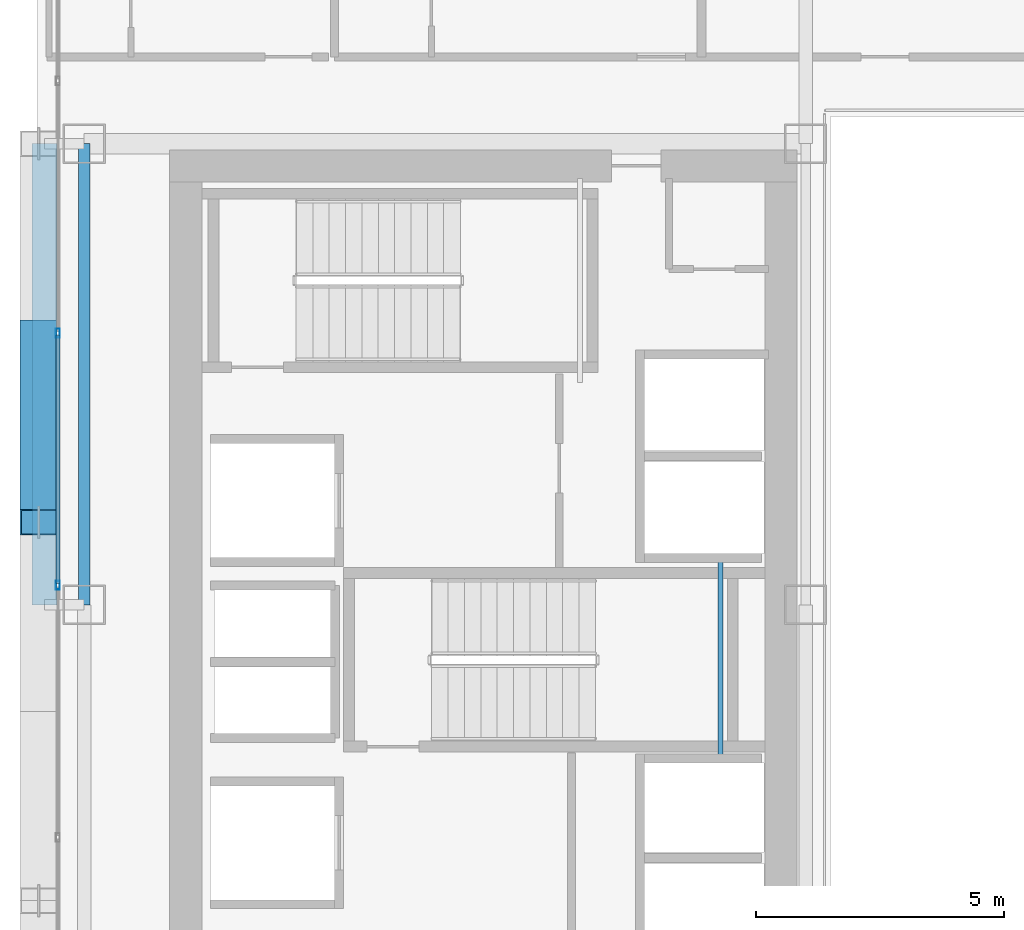
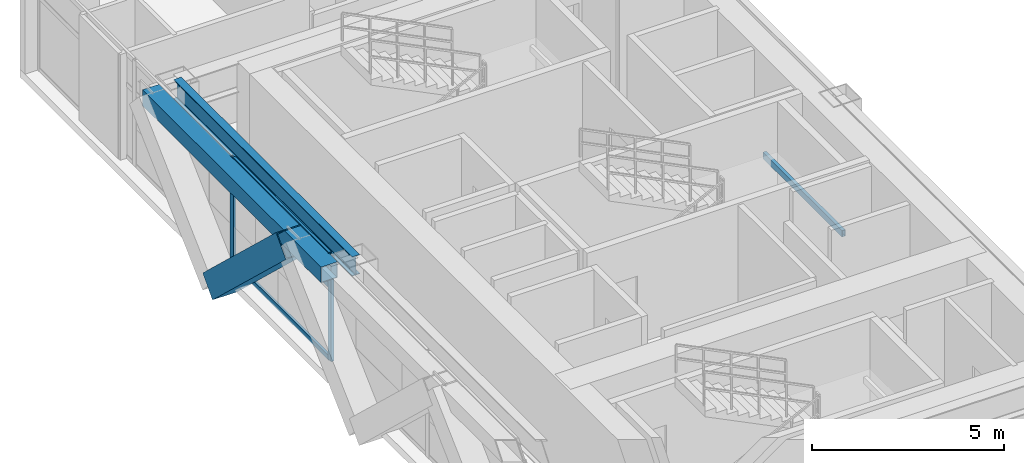
# One storey, part 8 of 35: 6 members, 3 beams, 1 element without a shape of its own.
"""IFC4 building model written with IfcOpenShell, lengths in metres."""

from ifc_helpers import new_model, si_unit, direction, frame, origin, origin_2d, place, context, subcontext, project, spatial, hollow_rectangle, i_section, extrude, source, transform, mapped, material, layer, layer_set, material_profile, profile_set, type_object, element, aggregate, save


model = new_model("IFC4")

# Units and contexts
model_context = context("Model", 3, precision=1e-05, world=origin(), true_north=direction((0.0, 1.0)))
body_context = subcontext(model_context, "Body", "Model", "MODEL_VIEW")
ifc_project = project(units=[si_unit("LENGTHUNIT", "METRE"), si_unit("AREAUNIT", "SQUARE_METRE"), si_unit("VOLUMEUNIT", "CUBIC_METRE"), si_unit("PLANEANGLEUNIT", "RADIAN"), si_unit("MASSUNIT", "GRAM", prefix="KILO")], contexts=[model_context])

# Site, building, storey
site_placement = place(None, origin())
site = spatial("IfcSite", under=ifc_project, at=site_placement, CompositionType="ELEMENT")
building_placement = place(site_placement, origin())
building = spatial("IfcBuilding", under=site, at=building_placement, Name="Ocotamira Hotel", CompositionType="ELEMENT")
storey_placement = place(building_placement, frame((0.0, 0.0, 115.199951171875)))
storey = spatial("IfcBuildingStorey", under=building, at=storey_placement, Name="L28", CompositionType="ELEMENT", Elevation=115.199951171875)

# Beams
ifc_material_1 = material(Name="Steel ASTM A500 Grade C", Category="steel")
ifc_material_profile_1 = material_profile(ifc_material_1, hollow_rectangle(XDim=0.10009765625, YDim=0.199951171875, WallThickness=0.008056640625, at=origin_2d()), Name="HSS200X100X8")
ifc_profile_set_1 = profile_set([ifc_material_profile_1], Name="Steel ASTM A500 Grade C")
beam_type_1 = type_object("IfcBeamType", Name="BM-STLDG-HSS200", PredefinedType="BEAM", material=ifc_profile_set_1)
shared_shape_1 = source(origin(), body_context, "Body", "SweptSolid", [
    extrude(hollow_rectangle(XDim=0.10009765625, YDim=0.199951171875, WallThickness=0.008056640625, at=origin_2d()), origin(), (0.0, 0.0, 1.0), 4.1201171875),
])
beam_1_placement = place(storey_placement, frame((21.780029296875, 24.97998046875, 1.5), z_axis=(0.0, 1.0, 0.0), x_axis=(-1.0, 0.0, 0.0)))
element("IfcBeam", 1, at=beam_1_placement, inside=storey, type_object=beam_type_1, Name="L28 Stair ST-3 Landing Bearer 1", PredefinedType="BEAM", context=body_context, shape_type="MappedRepresentation", body=[
    mapped(shared_shape_1, transform((0.0, 0.0, 0.0), scale=1.0)),
])
ifc_material_2 = material(Name="Steel ASTM A992 Grade 50", Category="steel")
ifc_material_profile_2 = material_profile(ifc_material_2, i_section(OverallWidth=0.22998046875, OverallDepth=0.616943359375, WebThickness=0.01318359375, FlangeThickness=0.022216796875, FilletRadius=0.012939453125, at=origin_2d()), Name="W24X94")
ifc_profile_set_2 = profile_set([ifc_material_profile_2], Name="Steel ASTM A992 Grade 50")
beam_type_2 = type_object("IfcBeamType", Name="BM-PRIM-W24X94", PredefinedType="BEAM", material=ifc_profile_set_2)
shared_shape_2 = source(origin(), body_context, "Body", "SweptSolid", [
    extrude(i_section(OverallWidth=0.22998046875, OverallDepth=0.616943359375, WebThickness=0.01318359375, FlangeThickness=0.022216796875, FilletRadius=0.012939453125, at=origin_2d()), origin(), (0.0, 0.0, 1.0), 9.300048828125),
])
beam_2_placement = place(storey_placement, frame((8.949951171875, 28.14990234375, 3.051513671875), z_axis=(0.0, 1.0, 0.0), x_axis=(-1.0, 0.0, 0.0)))
element("IfcBeam", 2, at=beam_2_placement, inside=storey, type_object=beam_type_2, Name="L28 Beam X8.95 Y28.15-37.45", PredefinedType="BEAM", context=body_context, shape_type="MappedRepresentation", body=[
    mapped(shared_shape_2, transform((0.0, 0.0, 0.0), scale=1.0)),
])
ifc_material_profile_3 = material_profile(ifc_material_1, hollow_rectangle(XDim=0.5, YDim=0.5, WallThickness=0.02001953125, at=origin_2d()), Name="HSS500X500X20")
ifc_profile_set_3 = profile_set([ifc_material_profile_3], Name="Steel ASTM A500 Grade C")
beam_type_3 = type_object("IfcBeamType", Name="BM-SPAN-HSS500", PredefinedType="USERDEFINED", material=ifc_profile_set_3)
shared_shape_3 = source(origin(), body_context, "Body", "SweptSolid", [
    extrude(hollow_rectangle(XDim=0.5, YDim=0.5, WallThickness=0.02001953125, at=origin_2d()), origin(), (0.0, 0.0, 1.0), 9.300048828125),
])
beam_3_placement = place(storey_placement, frame((8.14990234375, 28.14990234375, 3.110107421875), z_axis=(0.0, 1.0, 0.0), x_axis=(-1.0, 0.0, 0.0)))
element("IfcBeam", 3, at=beam_3_placement, inside=storey, type_object=beam_type_3, Name="L28 Edge Spandrel W Y28.15-37.45", ObjectType="SPANDREL", PredefinedType="USERDEFINED", context=body_context, shape_type="MappedRepresentation", body=[
    mapped(shared_shape_3, transform((0.0, 0.0, 0.0), scale=1.0)),
])

# Member
ifc_material_3 = material(Name="Pale-metal coated steel ASTM A913 Grade 65", Category="steel")
ifc_material_profile_4 = material_profile(ifc_material_3, hollow_rectangle(XDim=0.75, YDim=0.75, WallThickness=0.028076171875, at=origin_2d()), Name="BOX750X750X28")
ifc_profile_set_4 = profile_set([ifc_material_profile_4], Name="Pale-metal coated steel ASTM A913 Grade 65")
member_type_1 = type_object("IfcMemberType", Name="MEM-EXO-BOX750", PredefinedType="BRACE", material=ifc_profile_set_4)
shared_shape_4 = source(origin(), body_context, "Body", "SweptSolid", [
    extrude(hollow_rectangle(XDim=0.75, YDim=0.75, WallThickness=0.028076171875, at=origin_2d()), origin(), (0.0, 0.0, 1.0), 5.24658203125),
])
member_1_placement = place(storey_placement, frame((8.030029296875, 33.63330078125, -0.489990234375), z_axis=(0.0, -0.727442733726, 0.686168397078), x_axis=(1.0, 0.0, 0.0)))
element("IfcMember", 4, at=member_1_placement, inside=storey, type_object=member_type_1, Name="L28 Exoskeleton Diagrid W2.1", PredefinedType="BRACE", context=body_context, shape_type="MappedRepresentation", body=[
    mapped(shared_shape_4, transform((0.0, 0.0, 0.0), scale=1.0)),
])

# Curtain wall, members
ifc_material_4 = material(Name="Anodised pale-metal aluminium and solar glass", Category="aluminium")
ifc_layer = layer(ifc_material_4, 0.179931640625)
ifc_layer_set = layer_set([ifc_layer], Name="Anodised pale-metal aluminium and solar glass")
curtain_wall_type = type_object("IfcCurtainWallType", Name="CW-SYS3-Z2", PredefinedType="NOTDEFINED", material=ifc_layer_set)
curtain_wall_placement = place(storey_placement, origin())
curtain_wall = element("IfcCurtainWall", 5, at=curtain_wall_placement, inside=storey, type_object=curtain_wall_type, Name="L28 Curtain Wall CW-3 CW-L28-W", PredefinedType="NOTDEFINED")
ifc_material_5 = material(Name="Anodised pale-metal aluminium 6063-T6", Category="aluminium")
ifc_material_profile_5 = material_profile(ifc_material_5, hollow_rectangle(XDim=0.074951171875, YDim=0.14990234375, WallThickness=0.006103515625, at=origin_2d()), Name="HSS150X75X6")
ifc_profile_set_5 = profile_set([ifc_material_profile_5], Name="Anodised pale-metal aluminium 6063-T6")
member_type_2 = type_object("IfcMemberType", Name="CWT-150X75", PredefinedType="USERDEFINED", material=ifc_profile_set_5)
shared_shape_5 = source(origin(), body_context, "Body", "SweptSolid", [
    extrude(hollow_rectangle(XDim=0.074951171875, YDim=0.14990234375, WallThickness=0.006103515625, at=origin_2d()), origin(), (0.0, 0.0, 1.0), 5.005859375),
])
member_2_placement = place(storey_placement, frame((8.419921875, 28.582763671875, 0.03759765625), z_axis=(0.0, 1.0, 0.0), x_axis=(-1.0, 0.0, 0.0)))
member_2 = element("IfcMember", 6, at=member_2_placement, type_object=member_type_2, Name="CW-3 transom 5.1", ObjectType="TRANSOM", PredefinedType="USERDEFINED", context=body_context, shape_type="MappedRepresentation", body=[
    mapped(shared_shape_5, transform((0.0, 0.0, 0.0), scale=1.0)),
])
member_3_placement = place(storey_placement, frame((8.419921875, 28.582763671875, 2.35009765625), z_axis=(0.0, 1.0, 0.0), x_axis=(-1.0, 0.0, 0.0)))
member_3 = element("IfcMember", 7, at=member_3_placement, type_object=member_type_2, Name="CW-3 transom 5.2", ObjectType="TRANSOM", PredefinedType="USERDEFINED", context=body_context, shape_type="MappedRepresentation", body=[
    mapped(shared_shape_5, transform((0.0, 0.0, 0.0), scale=1.0)),
])
member_4_placement = place(storey_placement, frame((8.419921875, 28.582763671875, 3.322509765625), z_axis=(0.0, 1.0, 0.0), x_axis=(-1.0, 0.0, 0.0)))
member_4 = element("IfcMember", 8, at=member_4_placement, type_object=member_type_2, Name="CW-3 transom 5.3", ObjectType="TRANSOM", PredefinedType="USERDEFINED", context=body_context, shape_type="MappedRepresentation", body=[
    mapped(shared_shape_5, transform((0.0, 0.0, 0.0), scale=1.0)),
])
ifc_material_profile_6 = material_profile(ifc_material_5, hollow_rectangle(XDim=0.080078125, YDim=0.179931640625, WallThickness=0.006103515625, at=origin_2d()), Name="HSS180X80X6")
ifc_profile_set_6 = profile_set([ifc_material_profile_6], Name="Anodised pale-metal aluminium 6063-T6")
member_type_3 = type_object("IfcMemberType", Name="CWM-180X75", PredefinedType="MULLION", material=ifc_profile_set_6)
shared_shape_6 = source(origin(), body_context, "Body", "SweptSolid", [
    extrude(hollow_rectangle(XDim=0.080078125, YDim=0.179931640625, WallThickness=0.006103515625, at=origin_2d()), origin(), (0.0, 0.0, 1.0), 3.360107421875),
])
member_5_placement = place(storey_placement, frame((8.419921875, 28.54296875, 0.0), z_axis=(0.0, 0.0, 1.0), x_axis=(-1.0, 0.0, 0.0)))
member_5 = element("IfcMember", 9, at=member_5_placement, type_object=member_type_3, Name="CW-3 mullion 5", PredefinedType="MULLION", context=body_context, shape_type="MappedRepresentation", body=[
    mapped(shared_shape_6, transform((0.0, 0.0, 0.0), scale=1.0)),
])
member_6_placement = place(storey_placement, frame((8.419921875, 33.628662109375, 0.0), z_axis=(0.0, 0.0, 1.0), x_axis=(-1.0, 0.0, 0.0)))
member_6 = element("IfcMember", 10, at=member_6_placement, type_object=member_type_3, Name="CW-3 mullion 6", PredefinedType="MULLION", context=body_context, shape_type="MappedRepresentation", body=[
    mapped(shared_shape_6, transform((0.0, 0.0, 0.0), scale=1.0)),
])
aggregate(curtain_wall, [member_5, member_6, member_2, member_3, member_4])

save(model, "model.ifc")
